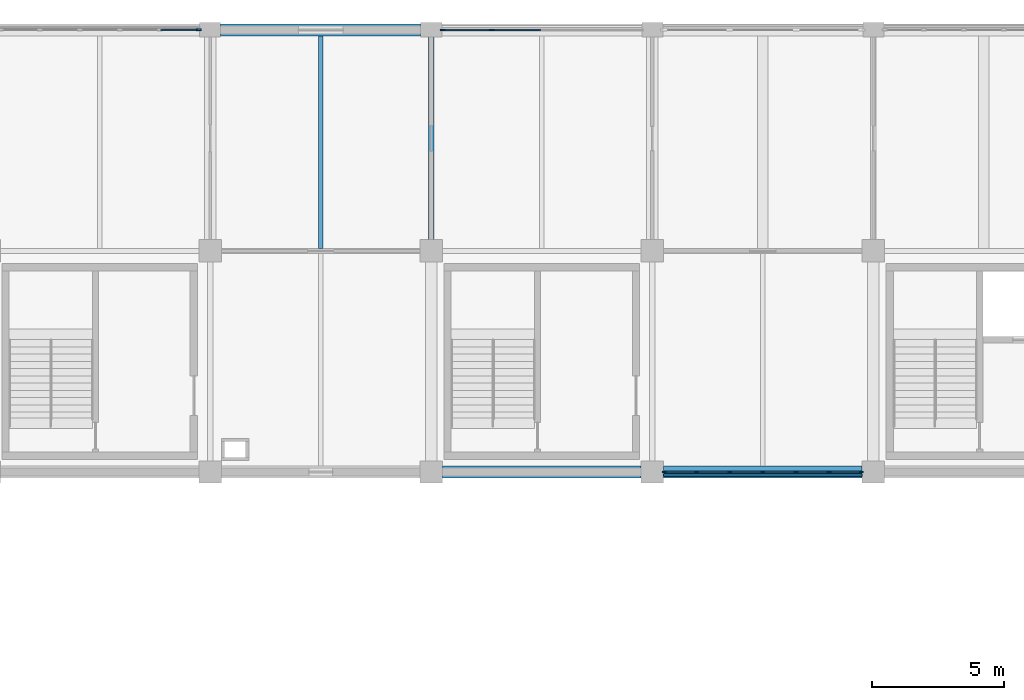
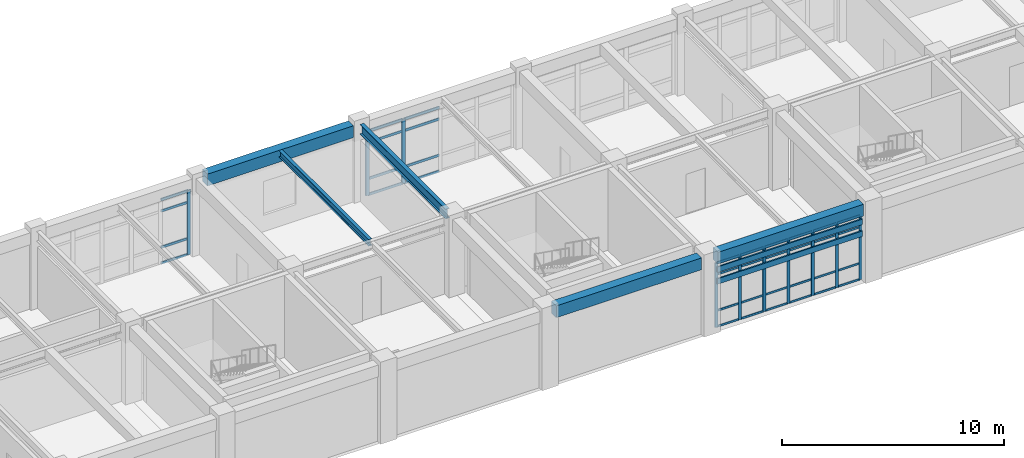
# One storey, part 27 of 78: 48 members, 5 beams, 3 elements without a shape of their own.
"""IFC4 building model written with IfcOpenShell, lengths in metres."""

from ifc_helpers import new_model, si_unit, direction, frame, origin, origin_2d, place, context, subcontext, project, spatial, rectangle, i_section, extrude, material, layer, layer_set, material_profile, profile_set, type_object, element, aggregate, save


model = new_model("IFC4")

# Units and contexts
model_context = context("Model", 3, precision=1e-05, world=origin(), true_north=direction((0.0, 1.0)))
body_context = subcontext(model_context, "Body", "Model", "MODEL_VIEW")
ifc_project = project(units=[si_unit("LENGTHUNIT", "METRE"), si_unit("AREAUNIT", "SQUARE_METRE"), si_unit("VOLUMEUNIT", "CUBIC_METRE"), si_unit("PLANEANGLEUNIT", "RADIAN"), si_unit("MASSUNIT", "GRAM", prefix="KILO")], contexts=[model_context])

# Site, building, storey
site_placement = place(None, origin())
site = spatial("IfcSite", under=ifc_project, at=site_placement, CompositionType="ELEMENT")
building_placement = place(site_placement, origin())
building = spatial("IfcBuilding", under=site, at=building_placement, Name="Porcellanite Civic Hall", CompositionType="ELEMENT")
storey_placement = place(building_placement, frame((0.0, 0.0, 10.260009765625)))
storey = spatial("IfcBuildingStorey", under=building, at=storey_placement, Name="L02", CompositionType="ELEMENT", Elevation=10.260009765625)

# Beams
ifc_material_1 = material(Name="Concrete N50 (50 MPa)", Category="concrete")
ifc_material_profile_1 = material_profile(ifc_material_1, rectangle(XDim=0.449951171875, YDim=0.64990234375, at=origin_2d()), Name="RC-450x650")
ifc_profile_set_1 = profile_set([ifc_material_profile_1], Name="Concrete N50 (50 MPa)")
beam_type_1 = type_object("IfcBeamType", Name="BM-RC650", PredefinedType="SPANDREL", material=ifc_profile_set_1)
beam_1_placement = place(storey_placement, frame((84.3994140625, 117.60009765625, 3.9150390625), z_axis=(1.0, 0.0, 0.0), x_axis=(0.0, 1.0, 0.0)))
element("IfcBeam", 1, at=beam_1_placement, inside=storey, type_object=beam_type_1, Name="Beam X L02 11-15", PredefinedType="SPANDREL", context=body_context, shape_type="SweptSolid", body=[
    extrude(rectangle(XDim=0.449951171875, YDim=0.64990234375, at=origin_2d()), origin(), (0.0, 0.0, 1.0), 7.60107421875),
])
beam_2_placement = place(storey_placement, frame((92.824462890625, 100.800048828125, 3.9150390625), z_axis=(1.0, 0.0, 0.0), x_axis=(0.0, 1.0, 0.0)))
element("IfcBeam", 2, at=beam_2_placement, inside=storey, type_object=beam_type_1, Name="Beam X L02 12-13", PredefinedType="SPANDREL", context=body_context, shape_type="SweptSolid", body=[
    extrude(rectangle(XDim=0.449951171875, YDim=0.64990234375, at=origin_2d()), origin(), (0.0, 0.0, 1.0), 7.551025390625),
])
beam_3_placement = place(storey_placement, frame((101.224609375, 100.800048828125, 3.9150390625), z_axis=(1.0, 0.0, 0.0), x_axis=(0.0, 1.0, 0.0)))
element("IfcBeam", 3, at=beam_3_placement, inside=storey, type_object=beam_type_1, Name="Beam X L02 13-13", PredefinedType="SPANDREL", context=body_context, shape_type="SweptSolid", body=[
    extrude(rectangle(XDim=0.449951171875, YDim=0.64990234375, at=origin_2d()), origin(), (0.0, 0.0, 1.0), 7.55078125),
])

# Curtain wall, member
ifc_material_2 = material(Name="Anodised aluminium and solar laminated glass", Category="aluminium")
ifc_layer_1 = layer(ifc_material_2, 0.179931640625)
ifc_layer_set_1 = layer_set([ifc_layer_1], Name="Anodised aluminium and solar laminated glass")
curtain_wall_type_1 = type_object("IfcCurtainWallType", Name="CW-SYS01", PredefinedType="NOTDEFINED", material=ifc_layer_set_1)
curtain_wall_1_placement = place(storey_placement, origin())
curtain_wall_1 = element("IfcCurtainWall", 4, at=curtain_wall_1_placement, inside=storey, type_object=curtain_wall_type_1, Name="Curtain wall CW-155", PredefinedType="NOTDEFINED")
ifc_material_3 = material(Name="Anodised aluminium 6063-T6", Category="aluminium")
ifc_material_profile_2 = material_profile(ifc_material_3, rectangle(XDim=0.070068359375, YDim=0.199951171875, at=origin_2d()), Name="AL-70x200")
ifc_profile_set_2 = profile_set([ifc_material_profile_2], Name="Anodised aluminium 6063-T6")
member_type_1 = type_object("IfcMemberType", Name="CWM-05", PredefinedType="MULLION", material=ifc_profile_set_2)
member_1_placement = place(storey_placement, frame((83.56396484375, 117.60009765625, 0.0), z_axis=(0.0, 0.0, 1.0), x_axis=(0.0, 1.0, 0.0)))
member_1 = element("IfcMember", 5, at=member_1_placement, type_object=member_type_1, Name="CW-155 mullion 6", PredefinedType="MULLION", context=body_context, shape_type="SweptSolid", body=[
    extrude(rectangle(XDim=0.070068359375, YDim=0.199951171875, at=origin_2d()), origin(), (0.0, 0.0, 1.0), 3.5400390625),
])

# Curtain wall, members
ifc_material_4 = material(Name="Anodised aluminium and solar laminated glass", Category="aluminium")
ifc_layer_2 = layer(ifc_material_4, 0.179931640625)
ifc_layer_set_2 = layer_set([ifc_layer_2], Name="Anodised aluminium and solar laminated glass")
curtain_wall_type_2 = type_object("IfcCurtainWallType", Name="CW-SYS06", PredefinedType="NOTDEFINED", material=ifc_layer_set_2)
curtain_wall_2_placement = place(storey_placement, origin())
curtain_wall_2 = element("IfcCurtainWall", 6, at=curtain_wall_2_placement, inside=storey, type_object=curtain_wall_type_2, Name="Curtain wall CW-158", PredefinedType="NOTDEFINED")
ifc_material_5 = material(Name="Anodised aluminium 6063-T6", Category="aluminium")
ifc_material_profile_3 = material_profile(ifc_material_5, rectangle(XDim=0.06494140625, YDim=0.179931640625, at=origin_2d()), Name="AL-65x180")
ifc_profile_set_3 = profile_set([ifc_material_profile_3], Name="Anodised aluminium 6063-T6")
member_type_2 = type_object("IfcMemberType", Name="CWM-06", PredefinedType="MULLION", material=ifc_profile_set_3)
member_2_placement = place(storey_placement, frame((92.83349609375, 117.60009765625, 0.0), z_axis=(0.0, 0.0, 1.0), x_axis=(0.0, 1.0, 0.0)))
member_2 = element("IfcMember", 7, at=member_2_placement, type_object=member_type_2, Name="CW-158 mullion 1", PredefinedType="MULLION", context=body_context, shape_type="SweptSolid", body=[
    extrude(rectangle(XDim=0.06494140625, YDim=0.179931640625, at=origin_2d()), origin(), (0.0, 0.0, 1.0), 3.5400390625),
])
member_3_placement = place(storey_placement, frame((94.700439453125, 117.60009765625, 0.0), z_axis=(0.0, 0.0, 1.0), x_axis=(0.0, 1.0, 0.0)))
member_3 = element("IfcMember", 8, at=member_3_placement, type_object=member_type_2, Name="CW-158 mullion 2", PredefinedType="MULLION", context=body_context, shape_type="SweptSolid", body=[
    extrude(rectangle(XDim=0.06494140625, YDim=0.179931640625, at=origin_2d()), origin(), (0.0, 0.0, 1.0), 3.5400390625),
])

ifc_material_6 = material(Name="Anodised aluminium and solar laminated glass", Category="aluminium")
ifc_layer_3 = layer(ifc_material_6, 0.179931640625)
ifc_layer_set_3 = layer_set([ifc_layer_3], Name="Anodised aluminium and solar laminated glass")
curtain_wall_type_3 = type_object("IfcCurtainWallType", Name="CW-SYS07", PredefinedType="NOTDEFINED", material=ifc_layer_set_3)
curtain_wall_3_placement = place(storey_placement, origin())
curtain_wall_3 = element("IfcCurtainWall", 9, at=curtain_wall_3_placement, inside=storey, type_object=curtain_wall_type_3, Name="Curtain wall CW-159", PredefinedType="NOTDEFINED")
ifc_material_7 = material(Name="Anodised aluminium 6063-T6", Category="aluminium")
ifc_material_profile_4 = material_profile(ifc_material_7, rectangle(XDim=0.06005859375, YDim=0.159912109375, at=origin_2d()), Name="AL-60x160")
ifc_profile_set_4 = profile_set([ifc_material_profile_4], Name="Anodised aluminium 6063-T6")
member_type_3 = type_object("IfcMemberType", Name="CWM-07", PredefinedType="MULLION", material=ifc_profile_set_4)
member_4_placement = place(storey_placement, frame((108.743896484375, 100.800048828125, 0.0), z_axis=(0.0, 0.0, 1.0), x_axis=(0.0, -1.0, 0.0)))
member_4 = element("IfcMember", 10, at=member_4_placement, type_object=member_type_3, Name="CW-159 mullion 1", PredefinedType="MULLION", context=body_context, shape_type="SweptSolid", body=[
    extrude(rectangle(XDim=0.06005859375, YDim=0.159912109375, at=origin_2d()), origin(), (0.0, 0.0, 1.0), 3.5400390625),
])
member_5_placement = place(storey_placement, frame((107.51611328125, 100.800048828125, 0.0), z_axis=(0.0, 0.0, 1.0), x_axis=(0.0, -1.0, 0.0)))
member_5 = element("IfcMember", 11, at=member_5_placement, type_object=member_type_3, Name="CW-159 mullion 2", PredefinedType="MULLION", context=body_context, shape_type="SweptSolid", body=[
    extrude(rectangle(XDim=0.06005859375, YDim=0.159912109375, at=origin_2d()), origin(), (0.0, 0.0, 1.0), 3.5400390625),
])
member_6_placement = place(storey_placement, frame((106.258056640625, 100.800048828125, 0.0), z_axis=(0.0, 0.0, 1.0), x_axis=(0.0, -1.0, 0.0)))
member_6 = element("IfcMember", 12, at=member_6_placement, type_object=member_type_3, Name="CW-159 mullion 3", PredefinedType="MULLION", context=body_context, shape_type="SweptSolid", body=[
    extrude(rectangle(XDim=0.06005859375, YDim=0.159912109375, at=origin_2d()), origin(), (0.0, 0.0, 1.0), 3.5400390625),
])
member_7_placement = place(storey_placement, frame((105.0, 100.800048828125, 0.0), z_axis=(0.0, 0.0, 1.0), x_axis=(0.0, -1.0, 0.0)))
member_7 = element("IfcMember", 13, at=member_7_placement, type_object=member_type_3, Name="CW-159 mullion 4", PredefinedType="MULLION", context=body_context, shape_type="SweptSolid", body=[
    extrude(rectangle(XDim=0.06005859375, YDim=0.159912109375, at=origin_2d()), origin(), (0.0, 0.0, 1.0), 3.5400390625),
])
member_8_placement = place(storey_placement, frame((103.741943359375, 100.800048828125, 0.0), z_axis=(0.0, 0.0, 1.0), x_axis=(0.0, -1.0, 0.0)))
member_8 = element("IfcMember", 14, at=member_8_placement, type_object=member_type_3, Name="CW-159 mullion 5", PredefinedType="MULLION", context=body_context, shape_type="SweptSolid", body=[
    extrude(rectangle(XDim=0.06005859375, YDim=0.159912109375, at=origin_2d()), origin(), (0.0, 0.0, 1.0), 3.5400390625),
])
member_9_placement = place(storey_placement, frame((102.48388671875, 100.800048828125, 0.0), z_axis=(0.0, 0.0, 1.0), x_axis=(0.0, -1.0, 0.0)))
member_9 = element("IfcMember", 15, at=member_9_placement, type_object=member_type_3, Name="CW-159 mullion 6", PredefinedType="MULLION", context=body_context, shape_type="SweptSolid", body=[
    extrude(rectangle(XDim=0.06005859375, YDim=0.159912109375, at=origin_2d()), origin(), (0.0, 0.0, 1.0), 3.5400390625),
])
member_10_placement = place(storey_placement, frame((101.256103515625, 100.800048828125, 0.0), z_axis=(0.0, 0.0, 1.0), x_axis=(0.0, -1.0, 0.0)))
member_10 = element("IfcMember", 16, at=member_10_placement, type_object=member_type_3, Name="CW-159 mullion 7", PredefinedType="MULLION", context=body_context, shape_type="SweptSolid", body=[
    extrude(rectangle(XDim=0.06005859375, YDim=0.159912109375, at=origin_2d()), origin(), (0.0, 0.0, 1.0), 3.5400390625),
])

# Member
ifc_material_8 = material(Name="Anodised aluminium 6063-T6", Category="aluminium")
ifc_material_profile_5 = material_profile(ifc_material_8, rectangle(XDim=0.06005859375, YDim=0.1298828125, at=origin_2d()), Name="AL-60x130")
ifc_profile_set_5 = profile_set([ifc_material_profile_5], Name="Anodised aluminium 6063-T6")
member_type_4 = type_object("IfcMemberType", Name="CWT-03", PredefinedType="USERDEFINED", material=ifc_profile_set_5)
member_11_placement = place(storey_placement, frame((82.114501953125, 117.60009765625, 0.030029296875), z_axis=(1.0, 0.0, 0.0), x_axis=(0.0, 1.0, 0.0)))
member_11 = element("IfcMember", 17, at=member_11_placement, type_object=member_type_4, Name="CW-155 transom 5.1", ObjectType="TRANSOM", PredefinedType="USERDEFINED", context=body_context, shape_type="SweptSolid", body=[
    extrude(rectangle(XDim=0.06005859375, YDim=0.1298828125, at=origin_2d()), origin(), (0.0, 0.0, 1.0), 1.41455078125),
])

member_12_placement = place(storey_placement, frame((82.114501953125, 117.60009765625, 0.89990234375), z_axis=(1.0, 0.0, 0.0), x_axis=(0.0, 1.0, 0.0)))
member_12 = element("IfcMember", 18, at=member_12_placement, type_object=member_type_4, Name="CW-155 transom 5.2", ObjectType="TRANSOM", PredefinedType="USERDEFINED", context=body_context, shape_type="SweptSolid", body=[
    extrude(rectangle(XDim=0.06005859375, YDim=0.1298828125, at=origin_2d()), origin(), (0.0, 0.0, 1.0), 1.41455078125),
])

member_13_placement = place(storey_placement, frame((82.114501953125, 117.60009765625, 2.889892578125), z_axis=(1.0, 0.0, 0.0), x_axis=(0.0, 1.0, 0.0)))
member_13 = element("IfcMember", 19, at=member_13_placement, type_object=member_type_4, Name="CW-155 transom 5.3", ObjectType="TRANSOM", PredefinedType="USERDEFINED", context=body_context, shape_type="SweptSolid", body=[
    extrude(rectangle(XDim=0.06005859375, YDim=0.1298828125, at=origin_2d()), origin(), (0.0, 0.0, 1.0), 1.41455078125),
])

member_14_placement = place(storey_placement, frame((82.114501953125, 117.60009765625, 3.510009765625), z_axis=(1.0, 0.0, 0.0), x_axis=(0.0, 1.0, 0.0)))
member_14 = element("IfcMember", 20, at=member_14_placement, type_object=member_type_4, Name="CW-155 transom 5.4", ObjectType="TRANSOM", PredefinedType="USERDEFINED", context=body_context, shape_type="SweptSolid", body=[
    extrude(rectangle(XDim=0.06005859375, YDim=0.1298828125, at=origin_2d()), origin(), (0.0, 0.0, 1.0), 1.41455078125),
])

aggregate(curtain_wall_1, [member_1, member_11, member_12, member_13, member_14])

ifc_material_9 = material(Name="Anodised aluminium 6063-T6", Category="aluminium")
ifc_material_profile_6 = material_profile(ifc_material_9, rectangle(XDim=0.050048828125, YDim=0.139892578125, at=origin_2d()), Name="AL-50x140")
ifc_profile_set_6 = profile_set([ifc_material_profile_6], Name="Anodised aluminium 6063-T6")
member_type_5 = type_object("IfcMemberType", Name="CWT-06", PredefinedType="USERDEFINED", material=ifc_profile_set_6)
member_15_placement = place(storey_placement, frame((92.865966796875, 117.60009765625, 0.02490234375), z_axis=(1.0, 0.0, 0.0), x_axis=(0.0, 1.0, 0.0)))
member_15 = element("IfcMember", 21, at=member_15_placement, type_object=member_type_5, Name="CW-158 transom 1.1", ObjectType="TRANSOM", PredefinedType="USERDEFINED", context=body_context, shape_type="SweptSolid", body=[
    extrude(rectangle(XDim=0.050048828125, YDim=0.139892578125, at=origin_2d()), origin(), (0.0, 0.0, 1.0), 1.802001953125),
])

member_16_placement = place(storey_placement, frame((92.865966796875, 117.60009765625, 0.89990234375), z_axis=(1.0, 0.0, 0.0), x_axis=(0.0, 1.0, 0.0)))
member_16 = element("IfcMember", 22, at=member_16_placement, type_object=member_type_5, Name="CW-158 transom 1.2", ObjectType="TRANSOM", PredefinedType="USERDEFINED", context=body_context, shape_type="SweptSolid", body=[
    extrude(rectangle(XDim=0.050048828125, YDim=0.139892578125, at=origin_2d()), origin(), (0.0, 0.0, 1.0), 1.802001953125),
])

member_17_placement = place(storey_placement, frame((92.865966796875, 117.60009765625, 2.889892578125), z_axis=(1.0, 0.0, 0.0), x_axis=(0.0, 1.0, 0.0)))
member_17 = element("IfcMember", 23, at=member_17_placement, type_object=member_type_5, Name="CW-158 transom 1.3", ObjectType="TRANSOM", PredefinedType="USERDEFINED", context=body_context, shape_type="SweptSolid", body=[
    extrude(rectangle(XDim=0.050048828125, YDim=0.139892578125, at=origin_2d()), origin(), (0.0, 0.0, 1.0), 1.802001953125),
])

member_18_placement = place(storey_placement, frame((92.865966796875, 117.60009765625, 3.514892578125), z_axis=(1.0, 0.0, 0.0), x_axis=(0.0, 1.0, 0.0)))
member_18 = element("IfcMember", 24, at=member_18_placement, type_object=member_type_5, Name="CW-158 transom 1.4", ObjectType="TRANSOM", PredefinedType="USERDEFINED", context=body_context, shape_type="SweptSolid", body=[
    extrude(rectangle(XDim=0.050048828125, YDim=0.139892578125, at=origin_2d()), origin(), (0.0, 0.0, 1.0), 1.802001953125),
])

member_19_placement = place(storey_placement, frame((94.73291015625, 117.60009765625, 0.02490234375), z_axis=(1.0, 0.0, 0.0), x_axis=(0.0, 1.0, 0.0)))
member_19 = element("IfcMember", 25, at=member_19_placement, type_object=member_type_5, Name="CW-158 transom 2.1", ObjectType="TRANSOM", PredefinedType="USERDEFINED", context=body_context, shape_type="SweptSolid", body=[
    extrude(rectangle(XDim=0.050048828125, YDim=0.139892578125, at=origin_2d()), origin(), (0.0, 0.0, 1.0), 1.83447265625),
])

member_20_placement = place(storey_placement, frame((94.73291015625, 117.60009765625, 0.89990234375), z_axis=(1.0, 0.0, 0.0), x_axis=(0.0, 1.0, 0.0)))
member_20 = element("IfcMember", 26, at=member_20_placement, type_object=member_type_5, Name="CW-158 transom 2.2", ObjectType="TRANSOM", PredefinedType="USERDEFINED", context=body_context, shape_type="SweptSolid", body=[
    extrude(rectangle(XDim=0.050048828125, YDim=0.139892578125, at=origin_2d()), origin(), (0.0, 0.0, 1.0), 1.83447265625),
])

member_21_placement = place(storey_placement, frame((94.73291015625, 117.60009765625, 2.889892578125), z_axis=(1.0, 0.0, 0.0), x_axis=(0.0, 1.0, 0.0)))
member_21 = element("IfcMember", 27, at=member_21_placement, type_object=member_type_5, Name="CW-158 transom 2.3", ObjectType="TRANSOM", PredefinedType="USERDEFINED", context=body_context, shape_type="SweptSolid", body=[
    extrude(rectangle(XDim=0.050048828125, YDim=0.139892578125, at=origin_2d()), origin(), (0.0, 0.0, 1.0), 1.83447265625),
])

member_22_placement = place(storey_placement, frame((94.73291015625, 117.60009765625, 3.514892578125), z_axis=(1.0, 0.0, 0.0), x_axis=(0.0, 1.0, 0.0)))
member_22 = element("IfcMember", 28, at=member_22_placement, type_object=member_type_5, Name="CW-158 transom 2.4", ObjectType="TRANSOM", PredefinedType="USERDEFINED", context=body_context, shape_type="SweptSolid", body=[
    extrude(rectangle(XDim=0.050048828125, YDim=0.139892578125, at=origin_2d()), origin(), (0.0, 0.0, 1.0), 1.83447265625),
])

aggregate(curtain_wall_2, [member_2, member_3, member_15, member_16, member_17, member_18, member_19, member_20, member_21, member_22])

ifc_material_10 = material(Name="Anodised aluminium 6063-T6", Category="aluminium")
ifc_material_profile_7 = material_profile(ifc_material_10, rectangle(XDim=0.050048828125, YDim=0.110107421875, at=origin_2d()), Name="AL-50x110")
ifc_profile_set_7 = profile_set([ifc_material_profile_7], Name="Anodised aluminium 6063-T6")
member_type_6 = type_object("IfcMemberType", Name="CWT-07", PredefinedType="USERDEFINED", material=ifc_profile_set_7)
member_23_placement = place(storey_placement, frame((108.714111328125, 100.800048828125, 0.02490234375), z_axis=(-1.0, 0.0, 0.0), x_axis=(0.0, -1.0, 0.0)))
member_23 = element("IfcMember", 29, at=member_23_placement, type_object=member_type_6, Name="CW-159 transom 1.1", ObjectType="TRANSOM", PredefinedType="USERDEFINED", context=body_context, shape_type="SweptSolid", body=[
    extrude(rectangle(XDim=0.050048828125, YDim=0.110107421875, at=origin_2d()), origin(), (0.0, 0.0, 1.0), 1.168212890625),
])

member_24_placement = place(storey_placement, frame((108.714111328125, 100.800048828125, 0.89990234375), z_axis=(-1.0, 0.0, 0.0), x_axis=(0.0, -1.0, 0.0)))
member_24 = element("IfcMember", 30, at=member_24_placement, type_object=member_type_6, Name="CW-159 transom 1.2", ObjectType="TRANSOM", PredefinedType="USERDEFINED", context=body_context, shape_type="SweptSolid", body=[
    extrude(rectangle(XDim=0.050048828125, YDim=0.110107421875, at=origin_2d()), origin(), (0.0, 0.0, 1.0), 1.168212890625),
])

member_25_placement = place(storey_placement, frame((108.714111328125, 100.800048828125, 2.889892578125), z_axis=(-1.0, 0.0, 0.0), x_axis=(0.0, -1.0, 0.0)))
member_25 = element("IfcMember", 31, at=member_25_placement, type_object=member_type_6, Name="CW-159 transom 1.3", ObjectType="TRANSOM", PredefinedType="USERDEFINED", context=body_context, shape_type="SweptSolid", body=[
    extrude(rectangle(XDim=0.050048828125, YDim=0.110107421875, at=origin_2d()), origin(), (0.0, 0.0, 1.0), 1.168212890625),
])

member_26_placement = place(storey_placement, frame((108.714111328125, 100.800048828125, 3.514892578125), z_axis=(-1.0, 0.0, 0.0), x_axis=(0.0, -1.0, 0.0)))
member_26 = element("IfcMember", 32, at=member_26_placement, type_object=member_type_6, Name="CW-159 transom 1.4", ObjectType="TRANSOM", PredefinedType="USERDEFINED", context=body_context, shape_type="SweptSolid", body=[
    extrude(rectangle(XDim=0.050048828125, YDim=0.110107421875, at=origin_2d()), origin(), (0.0, 0.0, 1.0), 1.168212890625),
])

member_27_placement = place(storey_placement, frame((107.486083984375, 100.800048828125, 0.02490234375), z_axis=(-1.0, 0.0, 0.0), x_axis=(0.0, -1.0, 0.0)))
member_27 = element("IfcMember", 33, at=member_27_placement, type_object=member_type_6, Name="CW-159 transom 2.1", ObjectType="TRANSOM", PredefinedType="USERDEFINED", context=body_context, shape_type="SweptSolid", body=[
    extrude(rectangle(XDim=0.050048828125, YDim=0.110107421875, at=origin_2d()), origin(), (0.0, 0.0, 1.0), 1.197998046875),
])

member_28_placement = place(storey_placement, frame((107.486083984375, 100.800048828125, 0.89990234375), z_axis=(-1.0, 0.0, 0.0), x_axis=(0.0, -1.0, 0.0)))
member_28 = element("IfcMember", 34, at=member_28_placement, type_object=member_type_6, Name="CW-159 transom 2.2", ObjectType="TRANSOM", PredefinedType="USERDEFINED", context=body_context, shape_type="SweptSolid", body=[
    extrude(rectangle(XDim=0.050048828125, YDim=0.110107421875, at=origin_2d()), origin(), (0.0, 0.0, 1.0), 1.197998046875),
])

member_29_placement = place(storey_placement, frame((107.486083984375, 100.800048828125, 2.889892578125), z_axis=(-1.0, 0.0, 0.0), x_axis=(0.0, -1.0, 0.0)))
member_29 = element("IfcMember", 35, at=member_29_placement, type_object=member_type_6, Name="CW-159 transom 2.3", ObjectType="TRANSOM", PredefinedType="USERDEFINED", context=body_context, shape_type="SweptSolid", body=[
    extrude(rectangle(XDim=0.050048828125, YDim=0.110107421875, at=origin_2d()), origin(), (0.0, 0.0, 1.0), 1.197998046875),
])

member_30_placement = place(storey_placement, frame((107.486083984375, 100.800048828125, 3.514892578125), z_axis=(-1.0, 0.0, 0.0), x_axis=(0.0, -1.0, 0.0)))
member_30 = element("IfcMember", 36, at=member_30_placement, type_object=member_type_6, Name="CW-159 transom 2.4", ObjectType="TRANSOM", PredefinedType="USERDEFINED", context=body_context, shape_type="SweptSolid", body=[
    extrude(rectangle(XDim=0.050048828125, YDim=0.110107421875, at=origin_2d()), origin(), (0.0, 0.0, 1.0), 1.197998046875),
])

member_31_placement = place(storey_placement, frame((106.22802734375, 100.800048828125, 0.02490234375), z_axis=(-1.0, 0.0, 0.0), x_axis=(0.0, -1.0, 0.0)))
member_31 = element("IfcMember", 37, at=member_31_placement, type_object=member_type_6, Name="CW-159 transom 3.1", ObjectType="TRANSOM", PredefinedType="USERDEFINED", context=body_context, shape_type="SweptSolid", body=[
    extrude(rectangle(XDim=0.050048828125, YDim=0.110107421875, at=origin_2d()), origin(), (0.0, 0.0, 1.0), 1.197998046875),
])

member_32_placement = place(storey_placement, frame((106.22802734375, 100.800048828125, 0.89990234375), z_axis=(-1.0, 0.0, 0.0), x_axis=(0.0, -1.0, 0.0)))
member_32 = element("IfcMember", 38, at=member_32_placement, type_object=member_type_6, Name="CW-159 transom 3.2", ObjectType="TRANSOM", PredefinedType="USERDEFINED", context=body_context, shape_type="SweptSolid", body=[
    extrude(rectangle(XDim=0.050048828125, YDim=0.110107421875, at=origin_2d()), origin(), (0.0, 0.0, 1.0), 1.197998046875),
])

member_33_placement = place(storey_placement, frame((106.22802734375, 100.800048828125, 2.889892578125), z_axis=(-1.0, 0.0, 0.0), x_axis=(0.0, -1.0, 0.0)))
member_33 = element("IfcMember", 39, at=member_33_placement, type_object=member_type_6, Name="CW-159 transom 3.3", ObjectType="TRANSOM", PredefinedType="USERDEFINED", context=body_context, shape_type="SweptSolid", body=[
    extrude(rectangle(XDim=0.050048828125, YDim=0.110107421875, at=origin_2d()), origin(), (0.0, 0.0, 1.0), 1.197998046875),
])

member_34_placement = place(storey_placement, frame((106.22802734375, 100.800048828125, 3.514892578125), z_axis=(-1.0, 0.0, 0.0), x_axis=(0.0, -1.0, 0.0)))
member_34 = element("IfcMember", 40, at=member_34_placement, type_object=member_type_6, Name="CW-159 transom 3.4", ObjectType="TRANSOM", PredefinedType="USERDEFINED", context=body_context, shape_type="SweptSolid", body=[
    extrude(rectangle(XDim=0.050048828125, YDim=0.110107421875, at=origin_2d()), origin(), (0.0, 0.0, 1.0), 1.197998046875),
])

member_35_placement = place(storey_placement, frame((104.969970703125, 100.800048828125, 0.02490234375), z_axis=(-1.0, 0.0, 0.0), x_axis=(0.0, -1.0, 0.0)))
member_35 = element("IfcMember", 41, at=member_35_placement, type_object=member_type_6, Name="CW-159 transom 4.1", ObjectType="TRANSOM", PredefinedType="USERDEFINED", context=body_context, shape_type="SweptSolid", body=[
    extrude(rectangle(XDim=0.050048828125, YDim=0.110107421875, at=origin_2d()), origin(), (0.0, 0.0, 1.0), 1.197998046875),
])

member_36_placement = place(storey_placement, frame((104.969970703125, 100.800048828125, 0.89990234375), z_axis=(-1.0, 0.0, 0.0), x_axis=(0.0, -1.0, 0.0)))
member_36 = element("IfcMember", 42, at=member_36_placement, type_object=member_type_6, Name="CW-159 transom 4.2", ObjectType="TRANSOM", PredefinedType="USERDEFINED", context=body_context, shape_type="SweptSolid", body=[
    extrude(rectangle(XDim=0.050048828125, YDim=0.110107421875, at=origin_2d()), origin(), (0.0, 0.0, 1.0), 1.197998046875),
])

member_37_placement = place(storey_placement, frame((104.969970703125, 100.800048828125, 2.889892578125), z_axis=(-1.0, 0.0, 0.0), x_axis=(0.0, -1.0, 0.0)))
member_37 = element("IfcMember", 43, at=member_37_placement, type_object=member_type_6, Name="CW-159 transom 4.3", ObjectType="TRANSOM", PredefinedType="USERDEFINED", context=body_context, shape_type="SweptSolid", body=[
    extrude(rectangle(XDim=0.050048828125, YDim=0.110107421875, at=origin_2d()), origin(), (0.0, 0.0, 1.0), 1.197998046875),
])

member_38_placement = place(storey_placement, frame((104.969970703125, 100.800048828125, 3.514892578125), z_axis=(-1.0, 0.0, 0.0), x_axis=(0.0, -1.0, 0.0)))
member_38 = element("IfcMember", 44, at=member_38_placement, type_object=member_type_6, Name="CW-159 transom 4.4", ObjectType="TRANSOM", PredefinedType="USERDEFINED", context=body_context, shape_type="SweptSolid", body=[
    extrude(rectangle(XDim=0.050048828125, YDim=0.110107421875, at=origin_2d()), origin(), (0.0, 0.0, 1.0), 1.197998046875),
])

member_39_placement = place(storey_placement, frame((103.7119140625, 100.800048828125, 0.02490234375), z_axis=(-1.0, 0.0, 0.0), x_axis=(0.0, -1.0, 0.0)))
member_39 = element("IfcMember", 45, at=member_39_placement, type_object=member_type_6, Name="CW-159 transom 5.1", ObjectType="TRANSOM", PredefinedType="USERDEFINED", context=body_context, shape_type="SweptSolid", body=[
    extrude(rectangle(XDim=0.050048828125, YDim=0.110107421875, at=origin_2d()), origin(), (0.0, 0.0, 1.0), 1.197998046875),
])

member_40_placement = place(storey_placement, frame((103.7119140625, 100.800048828125, 0.89990234375), z_axis=(-1.0, 0.0, 0.0), x_axis=(0.0, -1.0, 0.0)))
member_40 = element("IfcMember", 46, at=member_40_placement, type_object=member_type_6, Name="CW-159 transom 5.2", ObjectType="TRANSOM", PredefinedType="USERDEFINED", context=body_context, shape_type="SweptSolid", body=[
    extrude(rectangle(XDim=0.050048828125, YDim=0.110107421875, at=origin_2d()), origin(), (0.0, 0.0, 1.0), 1.197998046875),
])

member_41_placement = place(storey_placement, frame((103.7119140625, 100.800048828125, 2.889892578125), z_axis=(-1.0, 0.0, 0.0), x_axis=(0.0, -1.0, 0.0)))
member_41 = element("IfcMember", 47, at=member_41_placement, type_object=member_type_6, Name="CW-159 transom 5.3", ObjectType="TRANSOM", PredefinedType="USERDEFINED", context=body_context, shape_type="SweptSolid", body=[
    extrude(rectangle(XDim=0.050048828125, YDim=0.110107421875, at=origin_2d()), origin(), (0.0, 0.0, 1.0), 1.197998046875),
])

member_42_placement = place(storey_placement, frame((103.7119140625, 100.800048828125, 3.514892578125), z_axis=(-1.0, 0.0, 0.0), x_axis=(0.0, -1.0, 0.0)))
member_42 = element("IfcMember", 48, at=member_42_placement, type_object=member_type_6, Name="CW-159 transom 5.4", ObjectType="TRANSOM", PredefinedType="USERDEFINED", context=body_context, shape_type="SweptSolid", body=[
    extrude(rectangle(XDim=0.050048828125, YDim=0.110107421875, at=origin_2d()), origin(), (0.0, 0.0, 1.0), 1.197998046875),
])

member_43_placement = place(storey_placement, frame((102.4541015625, 100.800048828125, 0.02490234375), z_axis=(-1.0, 0.0, 0.0), x_axis=(0.0, -1.0, 0.0)))
member_43 = element("IfcMember", 49, at=member_43_placement, type_object=member_type_6, Name="CW-159 transom 6.1", ObjectType="TRANSOM", PredefinedType="USERDEFINED", context=body_context, shape_type="SweptSolid", body=[
    extrude(rectangle(XDim=0.050048828125, YDim=0.110107421875, at=origin_2d()), origin(), (0.0, 0.0, 1.0), 1.168212890625),
])

member_44_placement = place(storey_placement, frame((102.4541015625, 100.800048828125, 0.89990234375), z_axis=(-1.0, 0.0, 0.0), x_axis=(0.0, -1.0, 0.0)))
member_44 = element("IfcMember", 50, at=member_44_placement, type_object=member_type_6, Name="CW-159 transom 6.2", ObjectType="TRANSOM", PredefinedType="USERDEFINED", context=body_context, shape_type="SweptSolid", body=[
    extrude(rectangle(XDim=0.050048828125, YDim=0.110107421875, at=origin_2d()), origin(), (0.0, 0.0, 1.0), 1.168212890625),
])

member_45_placement = place(storey_placement, frame((102.4541015625, 100.800048828125, 2.889892578125), z_axis=(-1.0, 0.0, 0.0), x_axis=(0.0, -1.0, 0.0)))
member_45 = element("IfcMember", 51, at=member_45_placement, type_object=member_type_6, Name="CW-159 transom 6.3", ObjectType="TRANSOM", PredefinedType="USERDEFINED", context=body_context, shape_type="SweptSolid", body=[
    extrude(rectangle(XDim=0.050048828125, YDim=0.110107421875, at=origin_2d()), origin(), (0.0, 0.0, 1.0), 1.168212890625),
])

member_46_placement = place(storey_placement, frame((102.4541015625, 100.800048828125, 3.514892578125), z_axis=(-1.0, 0.0, 0.0), x_axis=(0.0, -1.0, 0.0)))
member_46 = element("IfcMember", 52, at=member_46_placement, type_object=member_type_6, Name="CW-159 transom 6.4", ObjectType="TRANSOM", PredefinedType="USERDEFINED", context=body_context, shape_type="SweptSolid", body=[
    extrude(rectangle(XDim=0.050048828125, YDim=0.110107421875, at=origin_2d()), origin(), (0.0, 0.0, 1.0), 1.168212890625),
])

aggregate(curtain_wall_3, [member_4, member_5, member_6, member_7, member_8, member_9, member_10, member_23, member_24, member_25, member_26, member_27, member_28, member_29, member_30, member_31, member_32, member_33, member_34, member_35, member_36, member_37, member_38, member_39, member_40, member_41, member_42, member_43, member_44, member_45, member_46])

# Beam
ifc_material_11 = material(Name="Steel Grade 350", Category="steel")
ifc_material_profile_8 = material_profile(ifc_material_11, i_section(OverallWidth=0.172119140625, OverallDepth=0.35888671875, WebThickness=0.008056640625, FlangeThickness=0.012939453125, FilletRadius=0.011474609375, at=origin_2d()), Name="360UB56.7")
ifc_profile_set_8 = profile_set([ifc_material_profile_8], Name="Steel Grade 350")
beam_type_2 = type_object("IfcBeamType", Name="JST-360UB57", PredefinedType="JOIST", material=ifc_profile_set_8)
beam_4_placement = place(storey_placement, frame((88.199951171875, 109.29443359375, 4.060546875), z_axis=(0.0, 1.0, 0.0), x_axis=(-1.0, 0.0, 0.0)))
element("IfcBeam", 53, at=beam_4_placement, inside=storey, type_object=beam_type_2, Name="Secondary joist L02 11-14", PredefinedType="JOIST", context=body_context, shape_type="SweptSolid", body=[
    extrude(i_section(OverallWidth=0.172119140625, OverallDepth=0.35888671875, WebThickness=0.008056640625, FlangeThickness=0.012939453125, FilletRadius=0.011474609375, at=origin_2d()), origin(), (0.0, 0.0, 1.0), 8.0810546875),
])

# Members
ifc_material_12 = material(Name="Fluoropolymer bauxite-red aluminium 6063-T6", Category="aluminium")
ifc_material_profile_9 = material_profile(ifc_material_12, rectangle(XDim=0.074951171875, YDim=0.300048828125, at=origin_2d()), Name="AL-75x300")
ifc_profile_set_9 = profile_set([ifc_material_profile_9], Name="Fluoropolymer bauxite-red aluminium 6063-T6")
member_type_7 = type_object("IfcMemberType", Name="LV-BLD04", PredefinedType="USERDEFINED", material=ifc_profile_set_9)
for number, where, z_axis, x_axis, name in (
    (54, (108.775390625, 100.680419921875, 3.239990234375), (-1.0, 0.0, 0.0), (0.0, -1.0, 0.0), "Cyclone sunshade louvre L02 S 12-12 1"),
    (55, (108.775390625, 100.680419921875, 2.590087890625), (-1.0, 0.0, 0.0), (0.0, -1.0, 0.0), "Cyclone sunshade louvre L02 S 12-12 2"),
):
    element("IfcMember", number, at=place(storey_placement, frame(where, z_axis=z_axis, x_axis=x_axis)), inside=storey, type_object=member_type_7, Name=name, ObjectType="LOUVRE BLADE", PredefinedType="USERDEFINED", context=body_context, shape_type="SweptSolid", body=[
        extrude(rectangle(XDim=0.074951171875, YDim=0.300048828125, at=origin_2d()), origin(), (0.0, 0.0, 1.0), 7.55078125),
    ])

# Beam
ifc_material_13 = material(Name="Steel Grade 350", Category="steel")
ifc_material_profile_10 = material_profile(ifc_material_13, i_section(OverallWidth=0.208984375, OverallDepth=0.528076171875, WebThickness=0.009521484375, FlangeThickness=0.01318359375, FilletRadius=0.013916015625, at=origin_2d()), Name="530UB82.0")
ifc_profile_set_10 = profile_set([ifc_material_profile_10], Name="Steel Grade 350")
beam_type_3 = type_object("IfcBeamType", Name="RAF-530UB82", PredefinedType="BEAM", material=ifc_profile_set_10)
beam_5_placement = place(storey_placement, frame((92.39990234375, 109.62451171875, 3.97607421875), z_axis=(0.0, 1.0, 0.0), x_axis=(-1.0, 0.0, 0.0)))
element("IfcBeam", 56, at=beam_5_placement, inside=storey, type_object=beam_type_3, Name="Beam Y L02 12-14", PredefinedType="BEAM", context=body_context, shape_type="SweptSolid", body=[
    extrude(i_section(OverallWidth=0.208984375, OverallDepth=0.528076171875, WebThickness=0.009521484375, FlangeThickness=0.01318359375, FilletRadius=0.013916015625, at=origin_2d()), origin(), (0.0, 0.0, 1.0), 7.700927734375),
])

save(model, "model.ifc")
